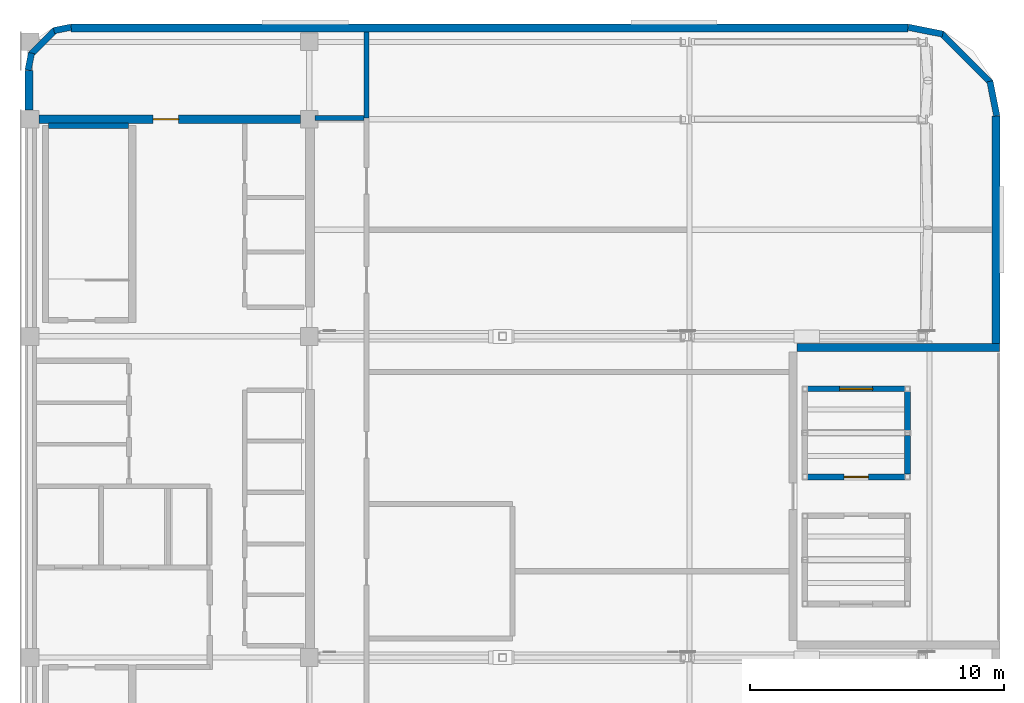
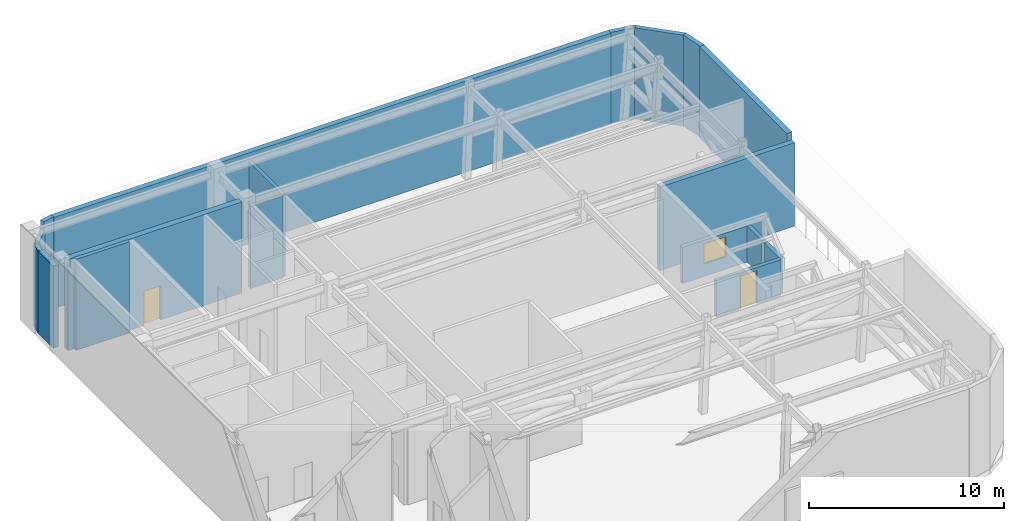
# One storey, part 11 of 12: 18 walls, 2 doors, 1 window, 3 openings.
"""IFC4 building model written with IfcOpenShell, lengths in metres."""

from ifc_helpers import new_model, si_unit, direction, frame, frame_2d, origin, place, context, subcontext, project, spatial, rectangle, extrude, material, layer, layer_set, type_object, element, fill, save


model = new_model("IFC4")

# Units and contexts
model_context = context("Model", 3, precision=1e-05, world=origin(), true_north=direction((0.0, 1.0)))
body_context = subcontext(model_context, "Body", "Model", "MODEL_VIEW")
ifc_project = project(units=[si_unit("LENGTHUNIT", "METRE"), si_unit("AREAUNIT", "SQUARE_METRE"), si_unit("VOLUMEUNIT", "CUBIC_METRE"), si_unit("PLANEANGLEUNIT", "RADIAN"), si_unit("MASSUNIT", "GRAM", prefix="KILO")], contexts=[model_context])

# Site, building, storey
site_placement = place(None, origin())
site = spatial("IfcSite", under=ifc_project, at=site_placement, CompositionType="ELEMENT")
building_placement = place(site_placement, origin())
building = spatial("IfcBuilding", under=site, at=building_placement, Name="Ochreholt Gables", CompositionType="ELEMENT")
storey_placement = place(building_placement, frame((0.0, 0.0, 287.0)))
storey = spatial("IfcBuildingStorey", under=building, at=storey_placement, Name="L75", CompositionType="ELEMENT", Elevation=287.0)

# Wall, opening, door
ifc_material_1 = material(Name="Concrete 50 MPa", Category="concrete")
ifc_layer_1 = layer(ifc_material_1, 0.35009765625, Name="Concrete 50 MPa")
ifc_layer_set_1 = layer_set([ifc_layer_1], Name="Concrete 50 MPa")
wall_type_1 = type_object("IfcWallType", Name="WALL-CSW-350", PredefinedType="SHEAR", material=ifc_layer_set_1)
wall_1_placement = place(storey_placement, frame((24.550048828125, 38.75, 0.0), z_axis=(0.0, 0.0, 1.0), x_axis=(1.0, 0.0, 0.0)))
wall_1 = element("IfcWall", 1, at=wall_1_placement, inside=storey, type_object=wall_type_1, Name="L75 Core North Shear Wall", PredefinedType="SHEAR", context=body_context, shape_type="SweptSolid", body=[
    extrude(rectangle(XDim=10.300048828125, YDim=0.35009765625, at=frame_2d((5.14990234375, 0.0))), origin(), (0.0, 0.0, 1.0), 5.699951171875),
])
opening_1_placement = place(wall_1_placement, frame((4.5, 0.0, 0.0)))
opening_1 = element("IfcOpeningElement", 2, at=opening_1_placement, cuts=wall_1, Name="Opening D-SV3", PredefinedType="OPENING", context=body_context, shape_type="SweptSolid", body=[
    extrude(rectangle(XDim=1.0, YDim=2.14990234375, at=frame_2d((0.5, 1.074951171875))), frame((0.0, 0.18505859375, 0.0), z_axis=(0.0, -1.0, 0.0), x_axis=(1.0, 0.0, 0.0)), (0.0, 0.0, 1.0), 0.3701171875),
])
ifc_material_2 = material(Name="Hollow Metal Steel", Category="steel")
door_type_1 = type_object("IfcDoorType", Name="DR-INT-SRV1000", OperationType="NOTDEFINED", PredefinedType="DOOR", material=ifc_material_2)
door_1_placement = place(opening_1_placement, origin())
door_1 = element("IfcDoor", 3, at=door_1_placement, inside=storey, type_object=door_type_1, Name="L75 Door D-PLCN-L75", OperationType="SINGLE_SWING_RIGHT", OverallHeight=2.14990234375, OverallWidth=1.0, PredefinedType="DOOR", context=body_context, shape_type="SweptSolid", body=[
    extrude(rectangle(XDim=1.0, YDim=2.14990234375, at=frame_2d((0.5, 1.074951171875))), frame((0.0, 0.02490234375, 0.0), z_axis=(0.0, -1.0, 0.0), x_axis=(1.0, 0.0, 0.0)), (0.0, 0.0, 1.0), 0.050048828125),
])
fill(opening_1, door_1)

# Walls
ifc_material_3 = material(Name="Precast concrete 40 MPa", Category="concrete")
ifc_layer_2 = layer(ifc_material_3, 0.25, Name="Precast concrete 40 MPa")
ifc_layer_set_2 = layer_set([ifc_layer_2], Name="Precast concrete 40 MPa")
wall_type_2 = type_object("IfcWallType", Name="WALL-EXT-CNR", PredefinedType="SOLIDWALL", material=ifc_layer_set_2)
wall_2_placement = place(storey_placement, frame((62.27587890625, 38.883544921875, 0.0), z_axis=(0.0, 0.0, 1.0), x_axis=(-0.195135625965, 0.9807762678, 0.0)))
element("IfcWall", 4, at=wall_2_placement, inside=storey, type_object=wall_type_2, Name="L75 Rounded Corner Wall NE-1", PredefinedType="SOLIDWALL", context=body_context, shape_type="SweptSolid", body=[
    extrude(rectangle(XDim=1.388671875, YDim=0.25, at=frame_2d((0.6943359375, 0.0))), origin(), (0.0, 0.0, 1.0), 5.699951171875),
])
wall_3_placement = place(storey_placement, frame((62.031982421875, 40.195068359375, 0.0), z_axis=(0.0, 0.0, 1.0), x_axis=(-0.707106781187, 0.707106781187, 0.0)))
element("IfcWall", 5, at=wall_3_placement, inside=storey, type_object=wall_type_2, Name="L75 Rounded Corner Wall NE-2", PredefinedType="SOLIDWALL", context=body_context, shape_type="SweptSolid", body=[
    extrude(rectangle(XDim=2.7392578125, YDim=0.25, at=frame_2d((1.36962890625, 0.0))), origin(), (0.0, 0.0, 1.0), 5.699951171875),
])
wall_4_placement = place(storey_placement, frame((60.1455078125, 42.10498046875, 0.0), z_axis=(0.0, 0.0, 1.0), x_axis=(-0.980809899341, 0.19496651342, 0.0)))
element("IfcWall", 6, at=wall_4_placement, inside=storey, type_object=wall_type_2, Name="L75 Rounded Corner Wall NE-3", PredefinedType="SOLIDWALL", context=body_context, shape_type="SweptSolid", body=[
    extrude(rectangle(XDim=1.388671875, YDim=0.25, at=frame_2d((0.6943359375, 0.0))), origin(), (0.0, 0.0, 1.0), 5.699951171875),
])
wall_5_placement = place(storey_placement, frame((25.81640625, 42.375732421875, 0.0), z_axis=(0.0, 0.0, 1.0), x_axis=(-0.980812594069, -0.194952956674, 0.0)))
element("IfcWall", 7, at=wall_5_placement, inside=storey, type_object=wall_type_2, Name="L75 Rounded Corner Wall NW-1", PredefinedType="SOLIDWALL", context=body_context, shape_type="SweptSolid", body=[
    extrude(rectangle(XDim=0.686279296875, YDim=0.25, at=frame_2d((0.34326171875, 0.0))), origin(), (0.0, 0.0, 1.0), 5.699951171875),
])
wall_6_placement = place(storey_placement, frame((25.19384765625, 42.26904296875, 0.0), z_axis=(0.0, 0.0, 1.0), x_axis=(-0.707106781187, -0.707106781187, 0.0)))
element("IfcWall", 8, at=wall_6_placement, inside=storey, type_object=wall_type_2, Name="L75 Rounded Corner Wall NW-2", PredefinedType="SOLIDWALL", context=body_context, shape_type="SweptSolid", body=[
    extrude(rectangle(XDim=1.36181640625, YDim=0.25, at=frame_2d((0.680908203125, 0.0))), origin(), (0.0, 0.0, 1.0), 5.14306640625),
])
wall_7_placement = place(storey_placement, frame((24.258056640625, 41.356689453125, 0.0), z_axis=(0.0, 0.0, 1.0), x_axis=(-0.194952956674, -0.980812594069, 0.0)))
element("IfcWall", 9, at=wall_7_placement, inside=storey, type_object=wall_type_2, Name="L75 Rounded Corner Wall NW-3", PredefinedType="SOLIDWALL", context=body_context, shape_type="SweptSolid", body=[
    extrude(rectangle(XDim=0.686279296875, YDim=0.25, at=frame_2d((0.34326171875, 0.0))), origin(), (0.0, 0.0, 1.0), 5.14306640625),
])
ifc_layer_3 = layer(ifc_material_3, 0.22998046875, Name="Precast concrete 40 MPa")
ifc_layer_set_3 = layer_set([ifc_layer_3], Name="Precast concrete 40 MPa")
wall_type_3 = type_object("IfcWallType", Name="WALL-EXT-GAB", PredefinedType="SOLIDWALL", material=ifc_layer_set_3)
for number, where, z_axis, x_axis, name in (
    (10, (58.764892578125, 24.77197265625, 0.0), (0.0, 0.0, 1.0), (0.0, 1.0, 0.0), "L75 Gable End Wall GB-75C2-E1"),
    (11, (58.764892578125, 26.501953125, 0.0), (0.0, 0.0, 1.0), (0.0, 1.0, 0.0), "L75 Gable End Wall GB-75C2-E2"),
):
    element("IfcWall", number, at=place(storey_placement, frame(where, z_axis=z_axis, x_axis=x_axis)), inside=storey, type_object=wall_type_3, Name=name, PredefinedType="SOLIDWALL", context=body_context, shape_type="SweptSolid", body=[
        extrude(rectangle(XDim=1.526123046875, YDim=0.22998046875, at=frame_2d((0.76318359375, 0.0))), origin(), (0.0, 0.0, 1.0), 2.264404296875),
    ])

# Wall, opening, door
wall_8_placement = place(storey_placement, frame((54.822021484375, 24.6650390625, 0.0), z_axis=(0.0, 0.0, 1.0), x_axis=(1.0, 0.0, 0.0)))
wall_8 = element("IfcWall", 12, at=wall_8_placement, inside=storey, type_object=wall_type_3, Name="L75 Gable Eave Wall GB-75C2-S", PredefinedType="SOLIDWALL", context=body_context, shape_type="SweptSolid", body=[
    extrude(rectangle(XDim=3.8359375, YDim=0.22998046875, at=frame_2d((1.91796875, 0.0))), origin(), (0.0, 0.0, 1.0), 2.264404296875),
])
opening_2_placement = place(wall_8_placement, frame((1.43798828125, 0.0, 0.0)))
opening_2 = element("IfcOpeningElement", 13, at=opening_2_placement, cuts=wall_8, Name="Opening D-GB1", PredefinedType="OPENING", context=body_context, shape_type="SweptSolid", body=[
    extrude(rectangle(XDim=0.9599609375, YDim=2.080078125, at=frame_2d((0.47998046875, 1.0400390625))), frame((0.0, 0.125, 0.0), z_axis=(0.0, -1.0, 0.0), x_axis=(1.0, 0.0, 0.0)), (0.0, 0.0, 1.0), 0.25),
])
ifc_material_4 = material(Name="Thermally Broken Insulated Steel and Glass Door", Category="steel")
door_type_2 = type_object("IfcDoorType", Name="DR-EXT-GAB960", OperationType="NOTDEFINED", PredefinedType="DOOR", material=ifc_material_4)
door_2_placement = place(opening_2_placement, origin())
door_2 = element("IfcDoor", 14, at=door_2_placement, inside=storey, type_object=door_type_2, Name="L75 Gable Pavilion Door GB-75C2", OperationType="SINGLE_SWING_RIGHT", OverallHeight=2.080078125, OverallWidth=0.9599609375, PredefinedType="DOOR", context=body_context, shape_type="SweptSolid", body=[
    extrude(rectangle(XDim=0.9599609375, YDim=2.080078125, at=frame_2d((0.47998046875, 1.0400390625))), frame((0.0, 0.02490234375, 0.0), z_axis=(0.0, -1.0, 0.0), x_axis=(1.0, 0.0, 0.0)), (0.0, 0.0, 1.0), 0.050048828125),
])
fill(opening_2, door_2)

# Wall, opening, window
wall_9_placement = place(storey_placement, frame((54.822021484375, 28.135009765625, 0.0), z_axis=(0.0, 0.0, 1.0), x_axis=(1.0, 0.0, 0.0)))
wall_9 = element("IfcWall", 15, at=wall_9_placement, inside=storey, type_object=wall_type_3, Name="L75 Gable Eave Wall GB-75C2-N", PredefinedType="SOLIDWALL", context=body_context, shape_type="SweptSolid", body=[
    extrude(rectangle(XDim=3.8359375, YDim=0.22998046875, at=frame_2d((1.91796875, 0.0))), origin(), (0.0, 0.0, 1.0), 2.264404296875),
])
opening_3_placement = place(wall_9_placement, frame((1.26806640625, 0.0, 0.780029296875)))
opening_3 = element("IfcOpeningElement", 16, at=opening_3_placement, cuts=wall_9, Name="Opening WN-6", PredefinedType="OPENING", context=body_context, shape_type="SweptSolid", body=[
    extrude(rectangle(XDim=1.300048828125, YDim=1.25, at=frame_2d((0.64990234375, 0.625))), frame((0.0, 0.125, 0.0), z_axis=(0.0, -1.0, 0.0), x_axis=(1.0, 0.0, 0.0)), (0.0, 0.0, 1.0), 0.25),
])
ifc_material_5 = material(Name="Triple-Glazed Thermally Broken Aluminium Window", Category="aluminium")
window_type = type_object("IfcWindowType", Name="WIN-GAB-1300", PartitioningType="SINGLE_PANEL", PredefinedType="WINDOW", material=ifc_material_5)
window_placement = place(opening_3_placement, origin())
window = element("IfcWindow", 17, at=window_placement, inside=storey, type_object=window_type, Name="L75 Gable Pavilion Window GB-75C2", OverallHeight=1.25, OverallWidth=1.300048828125, PartitioningType="SINGLE_PANEL", PredefinedType="WINDOW", context=body_context, shape_type="SweptSolid", body=[
    extrude(rectangle(XDim=1.300048828125, YDim=1.25, at=frame_2d((0.64990234375, 0.625))), frame((0.0, 0.030029296875, 0.0), z_axis=(0.0, -1.0, 0.0), x_axis=(1.0, 0.0, 0.0)), (0.0, 0.0, 1.0), 0.06005859375),
])
fill(opening_3, window)

# Walls
ifc_material_6 = material(Name="Precast concrete 50 MPa", Category="concrete")
ifc_layer_4 = layer(ifc_material_6, 0.31005859375, Name="Precast concrete 50 MPa")
ifc_layer_set_4 = layer_set([ifc_layer_4], Name="Precast concrete 50 MPa")
wall_type_4 = type_object("IfcWallType", Name="WALL-EXT-PLT", PredefinedType="SOLIDWALL", material=ifc_layer_set_4)
wall_10_placement = place(storey_placement, frame((54.39990234375, 29.7548828125, 0.0), z_axis=(0.0, 0.0, 1.0), x_axis=(1.0, 0.0, 0.0)))
element("IfcWall", 18, at=wall_10_placement, inside=storey, type_object=wall_type_4, Name="L75 Crown Terrace North Cheek Wall", PredefinedType="SOLIDWALL", context=body_context, shape_type="SweptSolid", body=[
    extrude(rectangle(XDim=7.97998046875, YDim=0.31005859375, at=frame_2d((3.989990234375, 0.0))), origin(), (0.0, 0.0, 1.0), 5.218994140625),
])
wall_11_placement = place(storey_placement, frame((62.2451171875, 29.909912109375, 0.0), z_axis=(0.0, 0.0, 1.0), x_axis=(0.0, 1.0, 0.0)))
element("IfcWall", 19, at=wall_11_placement, inside=storey, type_object=wall_type_4, Name="L75 North-East Plant Facade Wall", PredefinedType="SOLIDWALL", context=body_context, shape_type="SweptSolid", body=[
    extrude(rectangle(XDim=8.969970703125, YDim=0.31005859375, at=frame_2d((4.48486328125, 0.0))), origin(), (0.0, 0.0, 1.0), 5.699951171875),
])
wall_12_placement = place(storey_placement, frame((58.780029296875, 42.344970703125, 0.0), z_axis=(0.0, 0.0, 1.0), x_axis=(-1.0, 0.0, 0.0)))
element("IfcWall", 20, at=wall_12_placement, inside=storey, type_object=wall_type_4, Name="L75 North Plant Facade Wall", PredefinedType="SOLIDWALL", context=body_context, shape_type="SweptSolid", body=[
    extrude(rectangle(XDim=32.9599609375, YDim=0.31005859375, at=frame_2d((16.47998046875, 0.0))), origin(), (0.0, 0.0, 1.0), 5.699951171875),
])
wall_13_placement = place(storey_placement, frame((24.155029296875, 39.1201171875, 0.0), z_axis=(0.0, 0.0, 1.0), x_axis=(0.0, 1.0, 0.0)))
element("IfcWall", 21, at=wall_13_placement, inside=storey, type_object=wall_type_4, Name="L75 West Facade North Bay Wall", PredefinedType="SOLIDWALL", context=body_context, shape_type="SweptSolid", body=[
    extrude(rectangle(XDim=1.559814453125, YDim=0.31005859375, at=frame_2d((0.77978515625, 0.0))), origin(), (0.0, 0.0, 1.0), 5.14306640625),
])
ifc_material_7 = material(Name="Concrete 40 MPa", Category="concrete")
ifc_layer_5 = layer(ifc_material_7, 0.199951171875, Name="Concrete 40 MPa")
ifc_layer_set_5 = layer_set([ifc_layer_5], Name="Concrete 40 MPa")
wall_type_5 = type_object("IfcWallType", Name="WALL-INT-CF200", PredefinedType="STANDARD", material=ifc_layer_set_5)
wall_14_placement = place(storey_placement, frame((35.419921875, 38.800048828125, 0.0), z_axis=(0.0, 0.0, 1.0), x_axis=(1.0, 0.0, 0.0)))
element("IfcWall", 22, at=wall_14_placement, inside=storey, type_object=wall_type_5, Name="L75 Interior Wall WI-PLCN1-L75", PredefinedType="STANDARD", context=body_context, shape_type="SweptSolid", body=[
    extrude(rectangle(XDim=1.93017578125, YDim=0.199951171875, at=frame_2d((0.965087890625, 0.0))), origin(), (0.0, 0.0, 1.0), 5.14306640625),
])
wall_15_placement = place(storey_placement, frame((37.449951171875, 38.800048828125, 0.0), z_axis=(0.0, 0.0, 1.0), x_axis=(0.0, 1.0, 0.0)))
element("IfcWall", 23, at=wall_15_placement, inside=storey, type_object=wall_type_5, Name="L75 Interior Wall WI-PLCE75N-L75", PredefinedType="STANDARD", context=body_context, shape_type="SweptSolid", body=[
    extrude(rectangle(XDim=3.389892578125, YDim=0.199951171875, at=frame_2d((1.69482421875, 0.0))), origin(), (0.0, 0.0, 1.0), 5.14306640625),
])
ifc_layer_6 = layer(ifc_material_1, 0.219970703125, Name="Concrete 50 MPa")
ifc_layer_set_6 = layer_set([ifc_layer_6], Name="Concrete 50 MPa")
wall_type_6 = type_object("IfcWallType", Name="WALL-STW-220", PredefinedType="SHEAR", material=ifc_layer_set_6)
wall_16_placement = place(storey_placement, frame((24.919921875, 38.489990234375, 0.0), z_axis=(0.0, 0.0, 1.0), x_axis=(1.0, 0.0, 0.0)))
element("IfcWall", 24, at=wall_16_placement, inside=storey, type_object=wall_type_6, Name="L75 Exit Stair 2 North Wall", PredefinedType="SHEAR", context=body_context, shape_type="SweptSolid", body=[
    extrude(rectangle(XDim=3.16015625, YDim=0.219970703125, at=frame_2d((1.580078125, 0.0))), origin(), (0.0, 0.0, 1.0), 5.699951171875),
])

save(model, "model.ifc")
